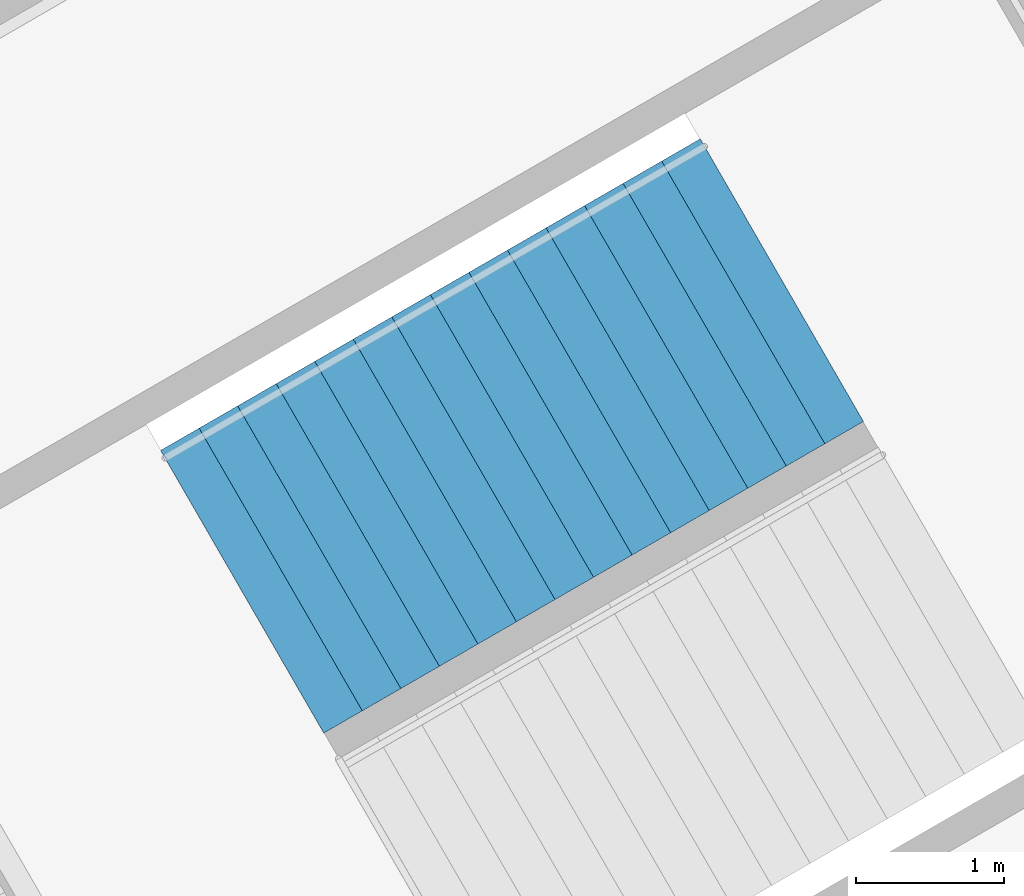
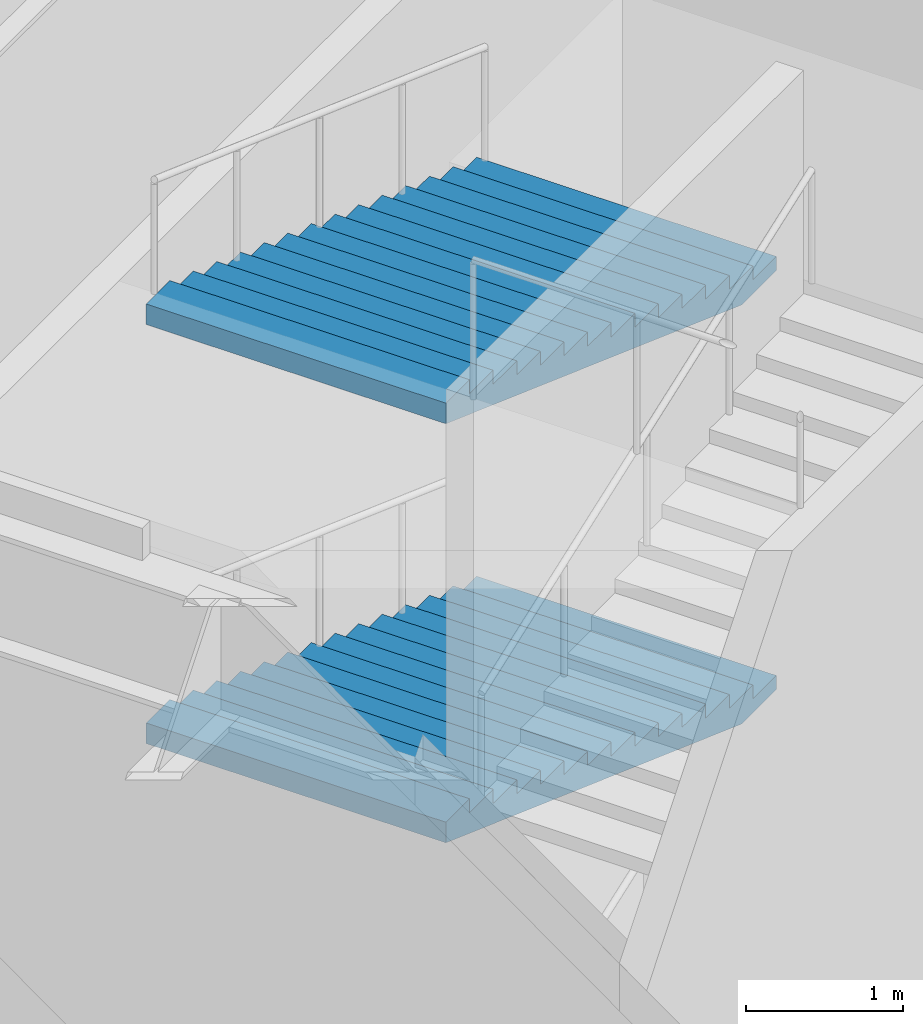
# One storey, part 16 of 19: 2 stair flights, 1 element without a shape of its own.
"""IFC4 building model written with IfcOpenShell, lengths in metres."""

from ifc_helpers import new_model, si_unit, direction, frame, origin, place, context, subcontext, project, spatial, polyline, outline, extrude, material, type_object, element, aggregate, save


model = new_model("IFC4")

# Units and contexts
model_context = context("Model", 3, precision=1e-05, world=origin(), true_north=direction((0.0, 1.0)))
body_context = subcontext(model_context, "Body", "Model", "MODEL_VIEW")
ifc_project = project(units=[si_unit("LENGTHUNIT", "METRE"), si_unit("AREAUNIT", "SQUARE_METRE"), si_unit("VOLUMEUNIT", "CUBIC_METRE"), si_unit("PLANEANGLEUNIT", "RADIAN"), si_unit("MASSUNIT", "GRAM", prefix="KILO")], contexts=[model_context])

# Site, building, storey
site_placement = place(None, origin())
site = spatial("IfcSite", under=ifc_project, at=site_placement, CompositionType="ELEMENT")
building_placement = place(site_placement, origin())
building = spatial("IfcBuilding", under=site, at=building_placement, Name="Trikona Tower", CompositionType="ELEMENT")
storey_placement = place(building_placement, frame((0.0, 0.0, 11.0)))
storey = spatial("IfcBuildingStorey", under=building, at=storey_placement, Name="L02", CompositionType="ELEMENT", Elevation=11.0)

# Stair, stair flights
ifc_material_1 = material(Name="Concrete f'c 5000 psi", Category="concrete")
stair_type = type_object("IfcStairType", Name="Podium stair", PredefinedType="HALF_TURN_STAIR", material=ifc_material_1)
stair_placement = place(storey_placement, origin())
stair = element("IfcStair", 1, at=stair_placement, inside=storey, type_object=stair_type, Name="Podium stair PS2 L02", PredefinedType="HALF_TURN_STAIR")
ifc_material_2 = material(Name="Concrete f'c 5000 psi", Category="concrete")
stair_flight_type = type_object("IfcStairFlightType", Name="Podium stair flight 2200", PredefinedType="STRAIGHT", material=ifc_material_2)
stair_flight_1_placement = place(storey_placement, frame((13.0576171875, 14.236083984375, 1.625), z_axis=(0.0, 0.0, 1.0), x_axis=(-0.866025403784, -0.5, 0.0)))
stair_flight_1 = element("IfcStairFlight", 2, at=stair_flight_1_placement, type_object=stair_flight_type, Name="PS2 flight 2", NumberOfRisers=15, NumberOfTreads=14, PredefinedType="STRAIGHT", RiserHeight=0.108333, TreadLength=0.3, context=body_context, shape_type="SweptSolid", body=[
    extrude(outline(polyline([(0.0, 0.0), (0.0, 0.1083984375), (0.300048828125, 0.1083984375), (0.300048828125, 0.216552734375), (0.60009765625, 0.216552734375), (0.60009765625, 0.324951171875), (0.89990234375, 0.324951171875), (0.89990234375, 0.433349609375), (1.199951171875, 0.433349609375), (1.199951171875, 0.541748046875), (1.5, 0.541748046875), (1.5, 0.64990234375), (1.800048828125, 0.64990234375), (1.800048828125, 0.75830078125), (2.10009765625, 0.75830078125), (2.10009765625, 0.86669921875), (2.39990234375, 0.86669921875), (2.39990234375, 0.97509765625), (2.699951171875, 0.97509765625), (2.699951171875, 1.083251953125), (3.0, 1.083251953125), (3.0, 1.191650390625), (3.300048828125, 1.191650390625), (3.300048828125, 1.300048828125), (3.60009765625, 1.300048828125), (3.60009765625, 1.408447265625), (3.89990234375, 1.408447265625), (3.89990234375, 1.5166015625), (4.199951171875, 1.5166015625), (4.199951171875, 1.625), (4.199951171875, 1.357177734375), (0.44140625, 0.0), (0.0, 0.0)])), frame((0.0, 1.10009765625, 0.0), z_axis=(0.0, -1.0, 0.0), x_axis=(1.0, 0.0, 0.0)), (0.0, 0.0, 1.0), 2.199951171875),
])
stair_flight_2_placement = place(storey_placement, frame((13.0576171875, 14.236083984375, 4.875), z_axis=(0.0, 0.0, 1.0), x_axis=(-0.866025403784, -0.5, 0.0)))
stair_flight_2 = element("IfcStairFlight", 3, at=stair_flight_2_placement, type_object=stair_flight_type, Name="PS2 flight 4", NumberOfRisers=15, NumberOfTreads=14, PredefinedType="STRAIGHT", RiserHeight=0.108333, TreadLength=0.3, context=body_context, shape_type="SweptSolid", body=[
    extrude(outline(polyline([(0.0, 0.0), (0.0, 0.1083984375), (0.300048828125, 0.1083984375), (0.300048828125, 0.216552734375), (0.60009765625, 0.216552734375), (0.60009765625, 0.324951171875), (0.89990234375, 0.324951171875), (0.89990234375, 0.433349609375), (1.199951171875, 0.433349609375), (1.199951171875, 0.541748046875), (1.5, 0.541748046875), (1.5, 0.64990234375), (1.800048828125, 0.64990234375), (1.800048828125, 0.75830078125), (2.10009765625, 0.75830078125), (2.10009765625, 0.86669921875), (2.39990234375, 0.86669921875), (2.39990234375, 0.97509765625), (2.699951171875, 0.97509765625), (2.699951171875, 1.083251953125), (3.0, 1.083251953125), (3.0, 1.191650390625), (3.300048828125, 1.191650390625), (3.300048828125, 1.300048828125), (3.60009765625, 1.300048828125), (3.60009765625, 1.408447265625), (3.89990234375, 1.408447265625), (3.89990234375, 1.5166015625), (4.199951171875, 1.5166015625), (4.199951171875, 1.625), (4.199951171875, 1.357177734375), (0.44140625, 0.0), (0.0, 0.0)])), frame((0.0, 1.10009765625, 0.0), z_axis=(0.0, -1.0, 0.0), x_axis=(1.0, 0.0, 0.0)), (0.0, 0.0, 1.0), 2.199951171875),
])
aggregate(stair, [stair_flight_1, stair_flight_2])

save(model, "model.ifc")
